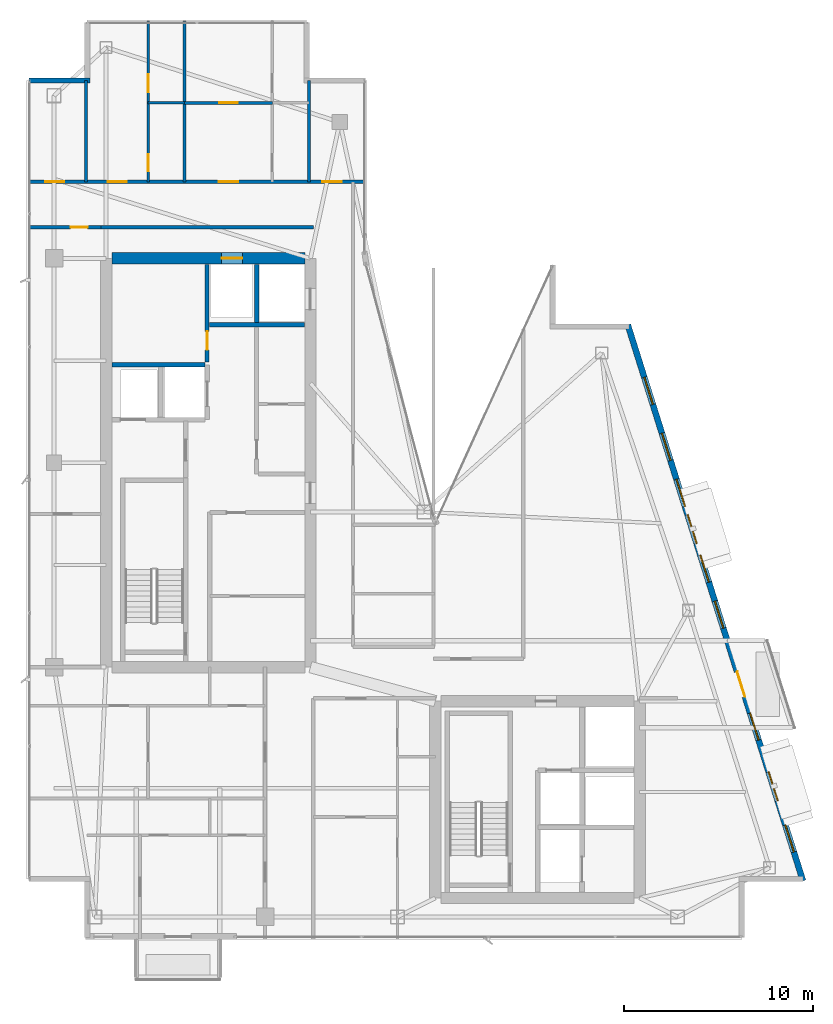
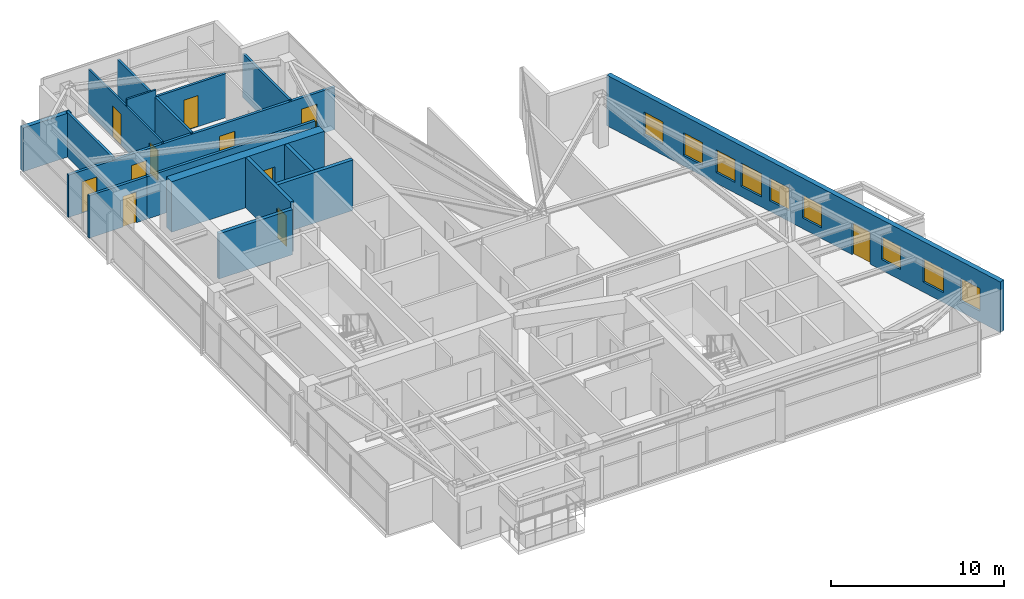
# One storey, part 24 of 27: 16 walls, 11 doors, 9 windows, 20 openings.
"""IFC4 building model written with IfcOpenShell, lengths in metres."""

from ifc_helpers import new_model, si_unit, direction, frame, frame_2d, origin, place, context, subcontext, project, spatial, rectangle, extrude, material, layer, layer_set, type_object, element, fill, save


model = new_model("IFC4")

# Units and contexts
model_context = context("Model", 3, precision=1e-05, world=origin(), true_north=direction((0.0, 1.0)))
body_context = subcontext(model_context, "Body", "Model", "MODEL_VIEW")
ifc_project = project(units=[si_unit("LENGTHUNIT", "METRE"), si_unit("AREAUNIT", "SQUARE_METRE"), si_unit("VOLUMEUNIT", "CUBIC_METRE"), si_unit("PLANEANGLEUNIT", "RADIAN"), si_unit("MASSUNIT", "GRAM", prefix="KILO")], contexts=[model_context])

# Site, building, storey
site_placement = place(None, origin())
site = spatial("IfcSite", under=ifc_project, at=site_placement, CompositionType="ELEMENT")
building_placement = place(site_placement, origin())
building = spatial("IfcBuilding", under=site, at=building_placement, Name="Calvorn Quay Hotel", CompositionType="ELEMENT")
storey_placement = place(building_placement, frame((0.0, 0.0, 294.89990234375)))
storey = spatial("IfcBuildingStorey", under=building, at=storey_placement, Name="L73", CompositionType="ELEMENT", Elevation=294.89990234375)

# Wall, opening, door
ifc_material_1 = material(Name="Concrete C45", Category="concrete")
ifc_layer_1 = layer(ifc_material_1, 0.60009765625)
ifc_layer_set_1 = layer_set([ifc_layer_1], Name="WL-CORE-600")
wall_type_1 = type_object("IfcWallType", Name="WL-CORE-600", PredefinedType="SHEAR", material=ifc_layer_set_1)
wall_1_placement = place(storey_placement, frame((4.5, 38.39990234375, 0.0), z_axis=(0.0, 0.0, 1.0), x_axis=(1.0, 0.0, 0.0)))
wall_1 = element("IfcWall", 1, at=wall_1_placement, inside=storey, type_object=wall_type_1, Name="West Core Shear Wall N (L73)", PredefinedType="SHEAR", context=body_context, shape_type="SweptSolid", body=[
    extrude(rectangle(XDim=10.199951171875, YDim=0.60009765625, at=frame_2d((5.10009765625, 0.0))), origin(), (0.0, 0.0, 1.0), 3.56005859375),
])
opening_1_placement = place(wall_1_placement, frame((5.800048828125, 0.0, 0.0)))
opening_1 = element("IfcOpeningElement", 2, at=opening_1_placement, cuts=wall_1, Name="Opening LD-L73-H2", PredefinedType="OPENING", context=body_context, shape_type="SweptSolid", body=[
    extrude(rectangle(XDim=1.10009765625, YDim=2.199951171875, at=frame_2d((0.550048828125, 1.10009765625))), frame((0.0, 0.31005859375, 0.0), z_axis=(0.0, -1.0, 0.0), x_axis=(1.0, 0.0, 0.0)), (0.0, 0.0, 1.0), 0.6201171875),
])
ifc_material_2 = material(Name="Brushed Stainless Steel Sliding Lift Landing Door", Category="steel")
door_type_1 = type_object("IfcDoorType", Name="DR-LIFT-PASS-1100", OperationType="NOTDEFINED", PredefinedType="DOOR", material=ifc_material_2)
door_1_placement = place(opening_1_placement, origin())
door_1 = element("IfcDoor", 3, at=door_1_placement, inside=storey, type_object=door_type_1, Name="High-Rise Lift PL-H2 Landing Door (L73)", OperationType="DOUBLE_DOOR_SLIDING", OverallHeight=2.199951171875, OverallWidth=1.10009765625, PredefinedType="DOOR", context=body_context, shape_type="SweptSolid", body=[
    extrude(rectangle(XDim=1.10009765625, YDim=2.199951171875, at=frame_2d((0.550048828125, 1.10009765625))), frame((0.0, 0.02490234375, 0.0), z_axis=(0.0, -1.0, 0.0), x_axis=(1.0, 0.0, 0.0)), (0.0, 0.0, 1.0), 0.050048828125),
])
fill(opening_1, door_1)

ifc_material_3 = material(Name="Acoustic Fireboard Steel-Stud Partition", Category="steel")
ifc_layer_2 = layer(ifc_material_3, 0.179931640625)
ifc_layer_set_2 = layer_set([ifc_layer_2], Name="WL-CORR-FIRE-180")
wall_type_2 = type_object("IfcWallType", Name="WL-CORR-FIRE-180", PredefinedType="PARTITIONING", material=ifc_layer_set_2)
wall_2_placement = place(storey_placement, frame((0.080078125, 40.050048828125, 0.0), z_axis=(0.0, 0.0, 1.0), x_axis=(1.0, 0.0, 0.0)))
wall_2 = element("IfcWall", 4, at=wall_2_placement, inside=storey, type_object=wall_type_2, Name="Partition Wall L73-WL-WBAY-N-DOOR", PredefinedType="PARTITIONING", context=body_context, shape_type="SweptSolid", body=[
    extrude(rectangle(XDim=3.849853515625, YDim=0.179931640625, at=frame_2d((1.9248046875, 0.0))), origin(), (0.0, 0.0, 1.0), 2.989990234375),
])
opening_2_placement = place(wall_2_placement, frame((2.25, 0.0, 0.0)))
opening_2 = element("IfcOpeningElement", 5, at=opening_2_placement, cuts=wall_2, Name="Opening D-L73-WBN", PredefinedType="OPENING", context=body_context, shape_type="SweptSolid", body=[
    extrude(rectangle(XDim=0.89990234375, YDim=2.14990234375, at=frame_2d((0.449951171875, 1.074951171875))), frame((0.0, 0.099853515625, 0.0), z_axis=(0.0, -1.0, 0.0), x_axis=(1.0, 0.0, 0.0)), (0.0, 0.0, 1.0), 0.199951171875),
])
ifc_material_4 = material(Name="Moisture-Sealed Timber En-Suite Door", Category="wood")
door_type_2 = type_object("IfcDoorType", Name="DR-ENSUITE-900", OperationType="NOTDEFINED", PredefinedType="DOOR", material=ifc_material_4)
door_2_placement = place(opening_2_placement, origin())
door_2 = element("IfcDoor", 6, at=door_2_placement, inside=storey, type_object=door_type_2, Name="West North Bay Door (L73)", OperationType="SINGLE_SWING_LEFT", OverallHeight=2.14990234375, OverallWidth=0.89990234375, PredefinedType="DOOR", context=body_context, shape_type="SweptSolid", body=[
    extrude(rectangle(XDim=0.89990234375, YDim=2.14990234375, at=frame_2d((0.449951171875, 1.074951171875))), frame((0.0, 0.02490234375, 0.0), z_axis=(0.0, -1.0, 0.0), x_axis=(1.0, 0.0, 0.0)), (0.0, 0.0, 1.0), 0.050048828125),
])
fill(opening_2, door_2)

# Wall, openings, doors
wall_3_placement = place(storey_placement, frame((0.080078125, 42.449951171875, 0.0), z_axis=(0.0, 0.0, 1.0), x_axis=(1.0, 0.0, 0.0)))
wall_3 = element("IfcWall", 7, at=wall_3_placement, inside=storey, type_object=wall_type_2, Name="Partition Wall L73-WL-CORR-NW-N", PredefinedType="PARTITIONING", context=body_context, shape_type="SweptSolid", body=[
    extrude(rectangle(XDim=17.77001953125, YDim=0.179931640625, at=frame_2d((8.885009765625, 0.0))), origin(), (0.0, 0.0, 1.0), 2.989990234375),
])
opening_3_placement = place(wall_3_placement, frame((0.89990234375, 0.0, 0.0)))
opening_3 = element("IfcOpeningElement", 8, at=opening_3_placement, cuts=wall_3, Name="Opening D-L73-NWW", PredefinedType="OPENING", context=body_context, shape_type="SweptSolid", body=[
    extrude(rectangle(XDim=1.02001953125, YDim=2.199951171875, at=frame_2d((0.510009765625, 1.10009765625))), frame((0.0, 0.099853515625, 0.0), z_axis=(0.0, -1.0, 0.0), x_axis=(1.0, 0.0, 0.0)), (0.0, 0.0, 1.0), 0.199951171875),
])
opening_4_placement = place(wall_3_placement, frame((4.199951171875, 0.0, 0.0)))
opening_4 = element("IfcOpeningElement", 9, at=opening_4_placement, cuts=wall_3, Name="Opening D-L73-U04", PredefinedType="OPENING", context=body_context, shape_type="SweptSolid", body=[
    extrude(rectangle(XDim=1.02001953125, YDim=2.199951171875, at=frame_2d((0.510009765625, 1.10009765625))), frame((0.0, 0.099853515625, 0.0), z_axis=(0.0, -1.0, 0.0), x_axis=(1.0, 0.0, 0.0)), (0.0, 0.0, 1.0), 0.199951171875),
])
opening_5_placement = place(wall_3_placement, frame((10.080078125, 0.0, 0.0)))
opening_5 = element("IfcOpeningElement", 10, at=opening_5_placement, cuts=wall_3, Name="Opening D-L73-U05", PredefinedType="OPENING", context=body_context, shape_type="SweptSolid", body=[
    extrude(rectangle(XDim=1.02001953125, YDim=2.199951171875, at=frame_2d((0.510009765625, 1.10009765625))), frame((0.0, 0.099853515625, 0.0), z_axis=(0.0, -1.0, 0.0), x_axis=(1.0, 0.0, 0.0)), (0.0, 0.0, 1.0), 0.199951171875),
])
opening_6_placement = place(wall_3_placement, frame((15.550048828125, 0.0, 0.0)))
opening_6 = element("IfcOpeningElement", 11, at=opening_6_placement, cuts=wall_3, Name="Opening D-L73-NWE", PredefinedType="OPENING", context=body_context, shape_type="SweptSolid", body=[
    extrude(rectangle(XDim=1.02001953125, YDim=2.199951171875, at=frame_2d((0.510009765625, 1.10009765625))), frame((0.0, 0.099853515625, 0.0), z_axis=(0.0, -1.0, 0.0), x_axis=(1.0, 0.0, 0.0)), (0.0, 0.0, 1.0), 0.199951171875),
])
ifc_material_5 = material(Name="Solid-Core Walnut Veneer Hotel Fire Door")
door_type_3 = type_object("IfcDoorType", Name="DR-GUEST-ENTRY-1020", OperationType="NOTDEFINED", PredefinedType="DOOR", material=ifc_material_5)
door_3_placement = place(opening_3_placement, origin())
door_3 = element("IfcDoor", 12, at=door_3_placement, inside=storey, type_object=door_type_3, Name="West Corner Study Door (L73)", OperationType="SINGLE_SWING_LEFT", OverallHeight=2.199951171875, OverallWidth=1.02001953125, PredefinedType="DOOR", context=body_context, shape_type="SweptSolid", body=[
    extrude(rectangle(XDim=1.02001953125, YDim=2.199951171875, at=frame_2d((0.510009765625, 1.10009765625))), frame((0.0, 0.02490234375, 0.0), z_axis=(0.0, -1.0, 0.0), x_axis=(1.0, 0.0, 0.0)), (0.0, 0.0, 1.0), 0.050048828125),
])
fill(opening_3, door_3)
door_4_placement = place(opening_4_placement, origin())
door_4 = element("IfcDoor", 13, at=door_4_placement, inside=storey, type_object=door_type_3, Name="North-West Unit Door U04 (L73)", OperationType="SINGLE_SWING_RIGHT", OverallHeight=2.199951171875, OverallWidth=1.02001953125, PredefinedType="DOOR", context=body_context, shape_type="SweptSolid", body=[
    extrude(rectangle(XDim=1.02001953125, YDim=2.199951171875, at=frame_2d((0.510009765625, 1.10009765625))), frame((0.0, 0.02490234375, 0.0), z_axis=(0.0, -1.0, 0.0), x_axis=(1.0, 0.0, 0.0)), (0.0, 0.0, 1.0), 0.050048828125),
])
fill(opening_4, door_4)
door_5_placement = place(opening_5_placement, origin())
door_5 = element("IfcDoor", 14, at=door_5_placement, inside=storey, type_object=door_type_3, Name="North-West Unit Door U05 (L73)", OperationType="SINGLE_SWING_LEFT", OverallHeight=2.199951171875, OverallWidth=1.02001953125, PredefinedType="DOOR", context=body_context, shape_type="SweptSolid", body=[
    extrude(rectangle(XDim=1.02001953125, YDim=2.199951171875, at=frame_2d((0.510009765625, 1.10009765625))), frame((0.0, 0.02490234375, 0.0), z_axis=(0.0, -1.0, 0.0), x_axis=(1.0, 0.0, 0.0)), (0.0, 0.0, 1.0), 0.050048828125),
])
fill(opening_5, door_5)
door_6_placement = place(opening_6_placement, origin())
door_6 = element("IfcDoor", 15, at=door_6_placement, inside=storey, type_object=door_type_3, Name="Inner Court Study Door (L73)", OperationType="SINGLE_SWING_RIGHT", OverallHeight=2.199951171875, OverallWidth=1.02001953125, PredefinedType="DOOR", context=body_context, shape_type="SweptSolid", body=[
    extrude(rectangle(XDim=1.02001953125, YDim=2.199951171875, at=frame_2d((0.510009765625, 1.10009765625))), frame((0.0, 0.02490234375, 0.0), z_axis=(0.0, -1.0, 0.0), x_axis=(1.0, 0.0, 0.0)), (0.0, 0.0, 1.0), 0.050048828125),
])
fill(opening_6, door_6)

# Walls
wall_4_placement = place(storey_placement, frame((3.8798828125, 40.050048828125, 0.0), z_axis=(0.0, 0.0, 1.0), x_axis=(1.0, 0.0, 0.0)))
element("IfcWall", 16, at=wall_4_placement, inside=storey, type_object=wall_type_2, Name="Partition Wall L73-WL-W-SPUR-S", PredefinedType="PARTITIONING", context=body_context, shape_type="SweptSolid", body=[
    extrude(rectangle(XDim=11.27001953125, YDim=0.179931640625, at=frame_2d((5.635009765625, 0.0))), origin(), (0.0, 0.0, 1.0), 2.989990234375),
])
ifc_material_6 = material(Name="Moisture-Resistant Tile-Backed Partition")
ifc_layer_3 = layer(ifc_material_6, 0.125)
ifc_layer_set_3 = layer_set([ifc_layer_3], Name="WL-ENSUITE-125")
wall_type_3 = type_object("IfcWallType", Name="WL-ENSUITE-125", PredefinedType="PARTITIONING", material=ifc_layer_set_3)
wall_5_placement = place(storey_placement, frame((6.419921875, 46.6201171875, 0.0), z_axis=(0.0, 0.0, 1.0), x_axis=(1.0, 0.0, 0.0)))
element("IfcWall", 17, at=wall_5_placement, inside=storey, type_object=wall_type_3, Name="Partition Wall L73-WL-U04-BDV", PredefinedType="PARTITIONING", context=body_context, shape_type="SweptSolid", body=[
    extrude(rectangle(XDim=1.93017578125, YDim=0.125, at=frame_2d((0.965087890625, 0.0))), origin(), (0.0, 0.0, 1.0), 3.56005859375),
])

# Wall, openings, doors
wall_6_placement = place(storey_placement, frame((6.419921875, 42.449951171875, 0.0), z_axis=(0.0, 0.0, 1.0), x_axis=(0.0, 1.0, 0.0)))
wall_6 = element("IfcWall", 18, at=wall_6_placement, inside=storey, type_object=wall_type_3, Name="Partition Wall L73-WL-U04-BV", PredefinedType="PARTITIONING", context=body_context, shape_type="SweptSolid", body=[
    extrude(rectangle(XDim=8.489990234375, YDim=0.125, at=frame_2d((4.2451171875, 0.0))), origin(), (0.0, 0.0, 1.0), 3.090087890625),
])
opening_7_placement = place(wall_6_placement, frame((0.550048828125, 0.0, 0.0)))
opening_7 = element("IfcOpeningElement", 19, at=opening_7_placement, cuts=wall_6, Name="Opening D-L73-E04", PredefinedType="OPENING", context=body_context, shape_type="SweptSolid", body=[
    extrude(rectangle(XDim=0.89990234375, YDim=2.14990234375, at=frame_2d((0.449951171875, 1.074951171875))), frame((0.0, 0.072509765625, 0.0), z_axis=(0.0, -1.0, 0.0), x_axis=(1.0, 0.0, 0.0)), (0.0, 0.0, 1.0), 0.14501953125),
])
opening_8_placement = place(wall_6_placement, frame((4.719970703125, 0.0, 0.0)))
opening_8 = element("IfcOpeningElement", 20, at=opening_8_placement, cuts=wall_6, Name="Opening D-L73-S04", PredefinedType="OPENING", context=body_context, shape_type="SweptSolid", body=[
    extrude(rectangle(XDim=0.9599609375, YDim=2.199951171875, at=frame_2d((0.47998046875, 1.10009765625))), frame((0.0, 0.072509765625, 0.0), z_axis=(0.0, -1.0, 0.0), x_axis=(1.0, 0.0, 0.0)), (0.0, 0.0, 1.0), 0.14501953125),
])
door_7_placement = place(opening_7_placement, origin())
door_7 = element("IfcDoor", 21, at=door_7_placement, inside=storey, type_object=door_type_2, Name="En-Suite Door 04", OperationType="SINGLE_SWING_LEFT", OverallHeight=2.14990234375, OverallWidth=0.89990234375, PredefinedType="DOOR", context=body_context, shape_type="SweptSolid", body=[
    extrude(rectangle(XDim=0.89990234375, YDim=2.14990234375, at=frame_2d((0.449951171875, 1.074951171875))), frame((0.0, 0.02490234375, 0.0), z_axis=(0.0, -1.0, 0.0), x_axis=(1.0, 0.0, 0.0)), (0.0, 0.0, 1.0), 0.050048828125),
])
fill(opening_7, door_7)
ifc_material_7 = material(Name="Solid Timber Internal Suite Door", Category="wood")
door_type_4 = type_object("IfcDoorType", Name="DR-SUITE-INT-960", OperationType="NOTDEFINED", PredefinedType="DOOR", material=ifc_material_7)
door_8_placement = place(opening_8_placement, origin())
door_8 = element("IfcDoor", 22, at=door_8_placement, inside=storey, type_object=door_type_4, Name="Executive Work Office Door 04", OperationType="SINGLE_SWING_RIGHT", OverallHeight=2.199951171875, OverallWidth=0.9599609375, PredefinedType="DOOR", context=body_context, shape_type="SweptSolid", body=[
    extrude(rectangle(XDim=0.9599609375, YDim=2.199951171875, at=frame_2d((0.47998046875, 1.10009765625))), frame((0.0, 0.02490234375, 0.0), z_axis=(0.0, -1.0, 0.0), x_axis=(1.0, 0.0, 0.0)), (0.0, 0.0, 1.0), 0.050048828125),
])
fill(opening_8, door_8)

# Wall
ifc_material_8 = material(Name="Concrete C40", Category="concrete")
ifc_layer_4 = layer(ifc_material_8, 0.320068359375)
ifc_layer_set_4 = layer_set([ifc_layer_4], Name="WL-EXT-SPANDREL-320")
wall_type_4 = type_object("IfcWallType", Name="WL-EXT-SPANDREL-320", PredefinedType="SOLIDWALL", material=ifc_layer_set_4)
wall_7_placement = place(storey_placement, frame((3.340087890625, 47.800048828125, 0.0), z_axis=(0.0, 0.0, 1.0), x_axis=(-1.0, 0.0, 0.0)))
element("IfcWall", 23, at=wall_7_placement, inside=storey, type_object=wall_type_4, Name="Notched Corner Spandrel L73-NW2", PredefinedType="SOLIDWALL", context=body_context, shape_type="SweptSolid", body=[
    extrude(rectangle(XDim=3.219970703125, YDim=0.280029296875, at=frame_2d((1.60986328125, 0.0))), origin(), (0.0, 0.0, 1.0), 3.090087890625),
])

# Wall, openings, door, windows
wall_8_placement = place(storey_placement, frame((41.030029296875, 5.5048828125, 0.0), z_axis=(0.0, 0.0, 1.0), x_axis=(-0.300509063924, 0.953778958931, 0.0)))
wall_8 = element("IfcWall", 24, at=wall_8_placement, inside=storey, type_object=wall_type_4, Name="East Stepped Waterfront Exterior Wall (L73)", PredefinedType="SOLIDWALL", context=body_context, shape_type="SweptSolid", body=[
    extrude(rectangle(XDim=30.814453125, YDim=0.320068359375, at=frame_2d((15.4072265625, 0.0))), origin(), (0.0, 0.0, 1.0), 3.56005859375),
])
opening_9_placement = place(wall_8_placement, frame((10.198974609375, 0.0, 0.0)))
opening_9 = element("IfcOpeningElement", 25, at=opening_9_placement, cuts=wall_8, Name="Opening DB-L73-1", PredefinedType="OPENING", context=body_context, shape_type="SweptSolid", body=[
    extrude(rectangle(XDim=1.39990234375, YDim=2.25, at=frame_2d((0.699951171875, 1.125))), frame((0.0, 0.169921875, 0.0), z_axis=(0.0, -1.0, 0.0), x_axis=(1.0, 0.0, 0.0)), (0.0, 0.0, 1.0), 0.340087890625),
])
opening_10_placement = place(wall_8_placement, frame((4.43701171875, 0.0, 0.699951171875)))
opening_10 = element("IfcOpeningElement", 26, at=opening_10_placement, cuts=wall_8, Name="Opening WHD-L73-1", PredefinedType="OPENING", context=body_context, shape_type="SweptSolid", body=[
    extrude(rectangle(XDim=1.60009765625, YDim=1.64990234375, at=frame_2d((0.800048828125, 0.824951171875))), frame((0.0, 0.169921875, 0.0), z_axis=(0.0, -1.0, 0.0), x_axis=(1.0, 0.0, 0.0)), (0.0, 0.0, 1.0), 0.340087890625),
])
opening_11_placement = place(wall_8_placement, frame((18.696044921875, 0.0, 0.699951171875)))
opening_11 = element("IfcOpeningElement", 27, at=opening_11_placement, cuts=wall_8, Name="Opening WHD-L73-2", PredefinedType="OPENING", context=body_context, shape_type="SweptSolid", body=[
    extrude(rectangle(XDim=1.60009765625, YDim=1.64990234375, at=frame_2d((0.800048828125, 0.824951171875))), frame((0.0, 0.169921875, 0.0), z_axis=(0.0, -1.0, 0.0), x_axis=(1.0, 0.0, 0.0)), (0.0, 0.0, 1.0), 0.340087890625),
])
opening_12_placement = place(wall_8_placement, frame((1.60009765625, 0.0, 0.75)))
opening_12 = element("IfcOpeningElement", 28, at=opening_12_placement, cuts=wall_8, Name="Opening WG-L73-E1", PredefinedType="OPENING", context=body_context, shape_type="SweptSolid", body=[
    extrude(rectangle(XDim=1.5, YDim=1.60009765625, at=frame_2d((0.75, 0.800048828125))), frame((0.0, 0.169921875, 0.0), z_axis=(0.0, -1.0, 0.0), x_axis=(1.0, 0.0, 0.0)), (0.0, 0.0, 1.0), 0.340087890625),
])
opening_13_placement = place(wall_8_placement, frame((7.800048828125, 0.0, 0.75)))
opening_13 = element("IfcOpeningElement", 29, at=opening_13_placement, cuts=wall_8, Name="Opening WG-L73-E2", PredefinedType="OPENING", context=body_context, shape_type="SweptSolid", body=[
    extrude(rectangle(XDim=1.5, YDim=1.60009765625, at=frame_2d((0.75, 0.800048828125))), frame((0.0, 0.169921875, 0.0), z_axis=(0.0, -1.0, 0.0), x_axis=(1.0, 0.0, 0.0)), (0.0, 0.0, 1.0), 0.340087890625),
])
opening_14_placement = place(wall_8_placement, frame((14.0, 0.0, 0.75)))
opening_14 = element("IfcOpeningElement", 30, at=opening_14_placement, cuts=wall_8, Name="Opening WG-L73-E3", PredefinedType="OPENING", context=body_context, shape_type="SweptSolid", body=[
    extrude(rectangle(XDim=1.5, YDim=1.60009765625, at=frame_2d((0.75, 0.800048828125))), frame((0.0, 0.169921875, 0.0), z_axis=(0.0, -1.0, 0.0), x_axis=(1.0, 0.0, 0.0)), (0.0, 0.0, 1.0), 0.340087890625),
])
opening_15_placement = place(wall_8_placement, frame((16.550048828125, 0.0, 0.75)))
opening_15 = element("IfcOpeningElement", 31, at=opening_15_placement, cuts=wall_8, Name="Opening WG-L73-E4", PredefinedType="OPENING", context=body_context, shape_type="SweptSolid", body=[
    extrude(rectangle(XDim=1.5, YDim=1.60009765625, at=frame_2d((0.75, 0.800048828125))), frame((0.0, 0.169921875, 0.0), z_axis=(0.0, -1.0, 0.0), x_axis=(1.0, 0.0, 0.0)), (0.0, 0.0, 1.0), 0.340087890625),
])
opening_16_placement = place(wall_8_placement, frame((20.75, 0.0, 0.75)))
opening_16 = element("IfcOpeningElement", 32, at=opening_16_placement, cuts=wall_8, Name="Opening WG-L73-E5", PredefinedType="OPENING", context=body_context, shape_type="SweptSolid", body=[
    extrude(rectangle(XDim=1.5, YDim=1.60009765625, at=frame_2d((0.75, 0.800048828125))), frame((0.0, 0.169921875, 0.0), z_axis=(0.0, -1.0, 0.0), x_axis=(1.0, 0.0, 0.0)), (0.0, 0.0, 1.0), 0.340087890625),
])
opening_17_placement = place(wall_8_placement, frame((23.300048828125, 0.0, 0.75)))
opening_17 = element("IfcOpeningElement", 33, at=opening_17_placement, cuts=wall_8, Name="Opening WG-L73-E6", PredefinedType="OPENING", context=body_context, shape_type="SweptSolid", body=[
    extrude(rectangle(XDim=1.5, YDim=1.60009765625, at=frame_2d((0.75, 0.800048828125))), frame((0.0, 0.169921875, 0.0), z_axis=(0.0, -1.0, 0.0), x_axis=(1.0, 0.0, 0.0)), (0.0, 0.0, 1.0), 0.340087890625),
])
opening_18_placement = place(wall_8_placement, frame((26.39990234375, 0.0, 0.75)))
opening_18 = element("IfcOpeningElement", 34, at=opening_18_placement, cuts=wall_8, Name="Opening WG-L73-E7", PredefinedType="OPENING", context=body_context, shape_type="SweptSolid", body=[
    extrude(rectangle(XDim=1.5, YDim=1.60009765625, at=frame_2d((0.75, 0.800048828125))), frame((0.0, 0.169921875, 0.0), z_axis=(0.0, -1.0, 0.0), x_axis=(1.0, 0.0, 0.0)), (0.0, 0.0, 1.0), 0.340087890625),
])
ifc_material_9 = material(Name="Typhoon-Rated Low-E Aluminium Terrace Door", Category="aluminium")
door_type_5 = type_object("IfcDoorType", Name="DR-BALCONY-GLZ-1400", OperationType="NOTDEFINED", PredefinedType="DOOR", material=ifc_material_9)
door_9_placement = place(opening_9_placement, origin())
door_9 = element("IfcDoor", 35, at=door_9_placement, inside=storey, type_object=door_type_5, Name="Tree Balcony Terrace Door L73-BALC-E", OperationType="SINGLE_SWING_LEFT", OverallHeight=2.25, OverallWidth=1.39990234375, PredefinedType="DOOR", context=body_context, shape_type="SweptSolid", body=[
    extrude(rectangle(XDim=1.39990234375, YDim=2.25, at=frame_2d((0.699951171875, 1.125))), frame((0.0, 0.02490234375, 0.0), z_axis=(0.0, -1.0, 0.0), x_axis=(1.0, 0.0, 0.0)), (0.0, 0.0, 1.0), 0.050048828125),
])
fill(opening_9, door_9)
ifc_material_10 = material(Name="Champagne-Bronze Aluminium Low-E Window", Category="aluminium")
window_type_1 = type_object("IfcWindowType", Name="WIN-GUEST-SIDE-1600x2100", PartitioningType="SINGLE_PANEL", PredefinedType="WINDOW", material=ifc_material_10)
window_1_placement = place(opening_10_placement, origin())
window_1 = element("IfcWindow", 36, at=window_1_placement, inside=storey, type_object=window_type_1, Name="Bay Hood Window L73-HOOD-1", OverallHeight=1.64990234375, OverallWidth=1.60009765625, PartitioningType="SINGLE_PANEL", PredefinedType="WINDOW", context=body_context, shape_type="SweptSolid", body=[
    extrude(rectangle(XDim=1.60009765625, YDim=1.64990234375, at=frame_2d((0.800048828125, 0.824951171875))), frame((0.0, 0.030029296875, 0.0), z_axis=(0.0, -1.0, 0.0), x_axis=(1.0, 0.0, 0.0)), (0.0, 0.0, 1.0), 0.06005859375),
])
fill(opening_10, window_1)
window_2_placement = place(opening_11_placement, origin())
window_2 = element("IfcWindow", 37, at=window_2_placement, inside=storey, type_object=window_type_1, Name="Bay Hood Window L73-HOOD-3", OverallHeight=1.64990234375, OverallWidth=1.60009765625, PartitioningType="SINGLE_PANEL", PredefinedType="WINDOW", context=body_context, shape_type="SweptSolid", body=[
    extrude(rectangle(XDim=1.60009765625, YDim=1.64990234375, at=frame_2d((0.800048828125, 0.824951171875))), frame((0.0, 0.030029296875, 0.0), z_axis=(0.0, -1.0, 0.0), x_axis=(1.0, 0.0, 0.0)), (0.0, 0.0, 1.0), 0.06005859375),
])
fill(opening_11, window_2)
ifc_material_11 = material(Name="Self-Closing Class B Fire Window")
window_type_2 = type_object("IfcWindowType", Name="WIN-REFUGE-1500x1600", PartitioningType="SINGLE_PANEL", PredefinedType="WINDOW", material=ifc_material_11)
window_3_placement = place(opening_12_placement, origin())
window_3 = element("IfcWindow", 38, at=window_3_placement, inside=storey, type_object=window_type_2, Name="East Facade Window L73-E1", OverallHeight=1.60009765625, OverallWidth=1.5, PartitioningType="SINGLE_PANEL", PredefinedType="WINDOW", context=body_context, shape_type="SweptSolid", body=[
    extrude(rectangle(XDim=1.5, YDim=1.60009765625, at=frame_2d((0.75, 0.800048828125))), frame((0.0, 0.030029296875, 0.0), z_axis=(0.0, -1.0, 0.0), x_axis=(1.0, 0.0, 0.0)), (0.0, 0.0, 1.0), 0.06005859375),
])
fill(opening_12, window_3)
window_4_placement = place(opening_13_placement, origin())
window_4 = element("IfcWindow", 39, at=window_4_placement, inside=storey, type_object=window_type_2, Name="East Facade Window L73-E2", OverallHeight=1.60009765625, OverallWidth=1.5, PartitioningType="SINGLE_PANEL", PredefinedType="WINDOW", context=body_context, shape_type="SweptSolid", body=[
    extrude(rectangle(XDim=1.5, YDim=1.60009765625, at=frame_2d((0.75, 0.800048828125))), frame((0.0, 0.030029296875, 0.0), z_axis=(0.0, -1.0, 0.0), x_axis=(1.0, 0.0, 0.0)), (0.0, 0.0, 1.0), 0.06005859375),
])
fill(opening_13, window_4)
window_5_placement = place(opening_14_placement, origin())
window_5 = element("IfcWindow", 40, at=window_5_placement, inside=storey, type_object=window_type_2, Name="East Facade Window L73-E3", OverallHeight=1.60009765625, OverallWidth=1.5, PartitioningType="SINGLE_PANEL", PredefinedType="WINDOW", context=body_context, shape_type="SweptSolid", body=[
    extrude(rectangle(XDim=1.5, YDim=1.60009765625, at=frame_2d((0.75, 0.800048828125))), frame((0.0, 0.030029296875, 0.0), z_axis=(0.0, -1.0, 0.0), x_axis=(1.0, 0.0, 0.0)), (0.0, 0.0, 1.0), 0.06005859375),
])
fill(opening_14, window_5)
window_6_placement = place(opening_15_placement, origin())
window_6 = element("IfcWindow", 41, at=window_6_placement, inside=storey, type_object=window_type_2, Name="East Facade Window L73-E4", OverallHeight=1.60009765625, OverallWidth=1.5, PartitioningType="SINGLE_PANEL", PredefinedType="WINDOW", context=body_context, shape_type="SweptSolid", body=[
    extrude(rectangle(XDim=1.5, YDim=1.60009765625, at=frame_2d((0.75, 0.800048828125))), frame((0.0, 0.030029296875, 0.0), z_axis=(0.0, -1.0, 0.0), x_axis=(1.0, 0.0, 0.0)), (0.0, 0.0, 1.0), 0.06005859375),
])
fill(opening_15, window_6)
window_7_placement = place(opening_16_placement, origin())
window_7 = element("IfcWindow", 42, at=window_7_placement, inside=storey, type_object=window_type_2, Name="East Facade Window L73-E5", OverallHeight=1.60009765625, OverallWidth=1.5, PartitioningType="SINGLE_PANEL", PredefinedType="WINDOW", context=body_context, shape_type="SweptSolid", body=[
    extrude(rectangle(XDim=1.5, YDim=1.60009765625, at=frame_2d((0.75, 0.800048828125))), frame((0.0, 0.030029296875, 0.0), z_axis=(0.0, -1.0, 0.0), x_axis=(1.0, 0.0, 0.0)), (0.0, 0.0, 1.0), 0.06005859375),
])
fill(opening_16, window_7)
window_8_placement = place(opening_17_placement, origin())
window_8 = element("IfcWindow", 43, at=window_8_placement, inside=storey, type_object=window_type_2, Name="East Facade Window L73-E6", OverallHeight=1.60009765625, OverallWidth=1.5, PartitioningType="SINGLE_PANEL", PredefinedType="WINDOW", context=body_context, shape_type="SweptSolid", body=[
    extrude(rectangle(XDim=1.5, YDim=1.60009765625, at=frame_2d((0.75, 0.800048828125))), frame((0.0, 0.030029296875, 0.0), z_axis=(0.0, -1.0, 0.0), x_axis=(1.0, 0.0, 0.0)), (0.0, 0.0, 1.0), 0.06005859375),
])
fill(opening_17, window_8)
window_9_placement = place(opening_18_placement, origin())
window_9 = element("IfcWindow", 44, at=window_9_placement, inside=storey, type_object=window_type_2, Name="East Facade Window L73-E7", OverallHeight=1.60009765625, OverallWidth=1.5, PartitioningType="SINGLE_PANEL", PredefinedType="WINDOW", context=body_context, shape_type="SweptSolid", body=[
    extrude(rectangle(XDim=1.5, YDim=1.60009765625, at=frame_2d((0.75, 0.800048828125))), frame((0.0, 0.030029296875, 0.0), z_axis=(0.0, -1.0, 0.0), x_axis=(1.0, 0.0, 0.0)), (0.0, 0.0, 1.0), 0.06005859375),
])
fill(opening_18, window_9)

# Walls
ifc_material_12 = material(Name="Double-Stud Acoustic Gypsum Partition")
ifc_layer_5 = layer(ifc_material_12, 0.159912109375)
ifc_layer_set_5 = layer_set([ifc_layer_5], Name="WL-INTERSUITE-160")
wall_type_5 = type_object("IfcWallType", Name="WL-INTERSUITE-160", PredefinedType="PARTITIONING", material=ifc_layer_set_5)
wall_9_placement = place(storey_placement, frame((3.14990234375, 42.449951171875, 0.0), z_axis=(0.0, 0.0, 1.0), x_axis=(0.0, 1.0, 0.0)))
element("IfcWall", 45, at=wall_9_placement, inside=storey, type_object=wall_type_5, Name="Partition Wall L73-WL-NW-DIV-W0", PredefinedType="PARTITIONING", context=body_context, shape_type="SweptSolid", body=[
    extrude(rectangle(XDim=5.35009765625, YDim=0.159912109375, at=frame_2d((2.675048828125, 0.0))), origin(), (0.0, 0.0, 1.0), 3.14013671875),
])
wall_10_placement = place(storey_placement, frame((14.919921875, 42.449951171875, 0.0), z_axis=(0.0, 0.0, 1.0), x_axis=(0.0, 1.0, 0.0)))
element("IfcWall", 46, at=wall_10_placement, inside=storey, type_object=wall_type_5, Name="Partition Wall L73-WL-NW-DIV-E0", PredefinedType="PARTITIONING", context=body_context, shape_type="SweptSolid", body=[
    extrude(rectangle(XDim=5.35009765625, YDim=0.159912109375, at=frame_2d((2.675048828125, 0.0))), origin(), (0.0, 0.0, 1.0), 3.090087890625),
])

# Wall, opening, door
wall_11_placement = place(storey_placement, frame((8.35009765625, 46.6201171875, 0.0), z_axis=(0.0, 0.0, 1.0), x_axis=(1.0, 0.0, 0.0)))
wall_11 = element("IfcWall", 47, at=wall_11_placement, inside=storey, type_object=wall_type_5, Name="Partition Wall L73-WL-U05-MSP", PredefinedType="PARTITIONING", context=body_context, shape_type="SweptSolid", body=[
    extrude(rectangle(XDim=4.639892578125, YDim=0.159912109375, at=frame_2d((2.31982421875, 0.0))), origin(), (0.0, 0.0, 1.0), 3.090087890625),
])
opening_19_placement = place(wall_11_placement, frame((1.840087890625, 0.0, 0.0)))
opening_19 = element("IfcOpeningElement", 48, at=opening_19_placement, cuts=wall_11, Name="Opening D-L73-M05", PredefinedType="OPENING", context=body_context, shape_type="SweptSolid", body=[
    extrude(rectangle(XDim=0.9599609375, YDim=2.199951171875, at=frame_2d((0.47998046875, 1.10009765625))), frame((0.0, 0.08984375, 0.0), z_axis=(0.0, -1.0, 0.0), x_axis=(1.0, 0.0, 0.0)), (0.0, 0.0, 1.0), 0.179931640625),
])
door_10_placement = place(opening_19_placement, origin())
door_10 = element("IfcDoor", 49, at=door_10_placement, inside=storey, type_object=door_type_4, Name="Suite Bedroom Door 05", OperationType="SINGLE_SWING_LEFT", OverallHeight=2.199951171875, OverallWidth=0.9599609375, PredefinedType="DOOR", context=body_context, shape_type="SweptSolid", body=[
    extrude(rectangle(XDim=0.9599609375, YDim=2.199951171875, at=frame_2d((0.47998046875, 1.10009765625))), frame((0.0, 0.02490234375, 0.0), z_axis=(0.0, -1.0, 0.0), x_axis=(1.0, 0.0, 0.0)), (0.0, 0.0, 1.0), 0.050048828125),
])
fill(opening_19, door_10)

# Wall
wall_12_placement = place(storey_placement, frame((8.35009765625, 42.449951171875, 0.0), z_axis=(0.0, 0.0, 1.0), x_axis=(0.0, 1.0, 0.0)))
element("IfcWall", 50, at=wall_12_placement, inside=storey, type_object=wall_type_5, Name="Partition Wall L73-WL-NW-DIV-1", PredefinedType="PARTITIONING", context=body_context, shape_type="SweptSolid", body=[
    extrude(rectangle(XDim=8.489990234375, YDim=0.159912109375, at=frame_2d((4.2451171875, 0.0))), origin(), (0.0, 0.0, 1.0), 3.090087890625),
])

# Wall, opening, door
ifc_material_13 = material(Name="Autoclaved Aerated Masonry Block", Category="masonry")
ifc_layer_6 = layer(ifc_material_13, 0.219970703125)
ifc_layer_set_6 = layer_set([ifc_layer_6], Name="WL-LOBBY-FIRE-220")
wall_type_6 = type_object("IfcWallType", Name="WL-LOBBY-FIRE-220", PredefinedType="SOLIDWALL", material=ifc_layer_set_6)
wall_13_placement = place(storey_placement, frame((9.5400390625, 32.919921875, 0.0), z_axis=(0.0, 0.0, 1.0), x_axis=(0.0, 1.0, 0.0)))
wall_13 = element("IfcWall", 51, at=wall_13_placement, inside=storey, type_object=wall_type_6, Name="Partition Wall L73-WL-CWW-K-E", PredefinedType="SOLIDWALL", context=body_context, shape_type="SweptSolid", body=[
    extrude(rectangle(XDim=5.16015625, YDim=0.219970703125, at=frame_2d((2.580078125, 0.0))), origin(), (0.0, 0.0, 1.0), 3.56005859375),
])
opening_20_placement = place(wall_13_placement, frame((0.64990234375, 0.0, 0.0)))
opening_20 = element("IfcOpeningElement", 52, at=opening_20_placement, cuts=wall_13, Name="Opening D-L73-CK1", PredefinedType="OPENING", context=body_context, shape_type="SweptSolid", body=[
    extrude(rectangle(XDim=0.97998046875, YDim=2.14990234375, at=frame_2d((0.489990234375, 1.074951171875))), frame((0.0, 0.119873046875, 0.0), z_axis=(0.0, -1.0, 0.0), x_axis=(1.0, 0.0, 0.0)), (0.0, 0.0, 1.0), 0.239990234375),
])
ifc_material_14 = material(Name="Painted Steel Housekeeping/Riser Fire Door", Category="steel")
door_type_6 = type_object("IfcDoorType", Name="DR-SERVICE-980", OperationType="NOTDEFINED", PredefinedType="DOOR", material=ifc_material_14)
door_11_placement = place(opening_20_placement, origin())
door_11 = element("IfcDoor", 53, at=door_11_placement, inside=storey, type_object=door_type_6, Name="Core Linen Room Door (L73)", OperationType="SINGLE_SWING_LEFT", OverallHeight=2.14990234375, OverallWidth=0.97998046875, PredefinedType="DOOR", context=body_context, shape_type="SweptSolid", body=[
    extrude(rectangle(XDim=0.97998046875, YDim=2.14990234375, at=frame_2d((0.489990234375, 1.074951171875))), frame((0.0, 0.02490234375, 0.0), z_axis=(0.0, -1.0, 0.0), x_axis=(1.0, 0.0, 0.0)), (0.0, 0.0, 1.0), 0.050048828125),
])
fill(opening_20, door_11)

# Walls
ifc_material_15 = material(Name="Concrete C40", Category="concrete")
ifc_layer_7 = layer(ifc_material_15, 0.239990234375)
ifc_layer_set_7 = layer_set([ifc_layer_7], Name="WL-SHAFT-240")
wall_type_7 = type_object("IfcWallType", Name="WL-SHAFT-240", PredefinedType="SOLIDWALL", material=ifc_layer_set_7)
wall_14_placement = place(storey_placement, frame((4.52001953125, 32.780029296875, 0.0), z_axis=(0.0, 0.0, 1.0), x_axis=(1.0, 0.0, 0.0)))
element("IfcWall", 54, at=wall_14_placement, inside=storey, type_object=wall_type_7, Name="Partition Wall L73-WL-CWW-SLW-N", PredefinedType="SOLIDWALL", context=body_context, shape_type="SweptSolid", body=[
    extrude(rectangle(XDim=4.89990234375, YDim=0.239990234375, at=frame_2d((2.449951171875, 0.0))), origin(), (0.0, 0.0, 1.0), 3.190185546875),
])
wall_15_placement = place(storey_placement, frame((9.659912109375, 34.89990234375, 0.0), z_axis=(0.0, 0.0, 1.0), x_axis=(1.0, 0.0, 0.0)))
element("IfcWall", 55, at=wall_15_placement, inside=storey, type_object=wall_type_7, Name="Partition Wall L73-WL-CWW-PLH-S", PredefinedType="SOLIDWALL", context=body_context, shape_type="SweptSolid", body=[
    extrude(rectangle(XDim=5.02001953125, YDim=0.239990234375, at=frame_2d((2.510009765625, 0.0))), origin(), (0.0, 0.0, 1.0), 3.56005859375),
])
wall_16_placement = place(storey_placement, frame((12.14990234375, 35.02001953125, 0.0), z_axis=(0.0, 0.0, 1.0), x_axis=(0.0, 1.0, 0.0)))
element("IfcWall", 56, at=wall_16_placement, inside=storey, type_object=wall_type_7, Name="Partition Wall L73-WL-CWW-PLH-DIV", PredefinedType="SOLIDWALL", context=body_context, shape_type="SweptSolid", body=[
    extrude(rectangle(XDim=3.06005859375, YDim=0.239990234375, at=frame_2d((1.530029296875, 0.0))), origin(), (0.0, 0.0, 1.0), 3.56005859375),
])

save(model, "model.ifc")
